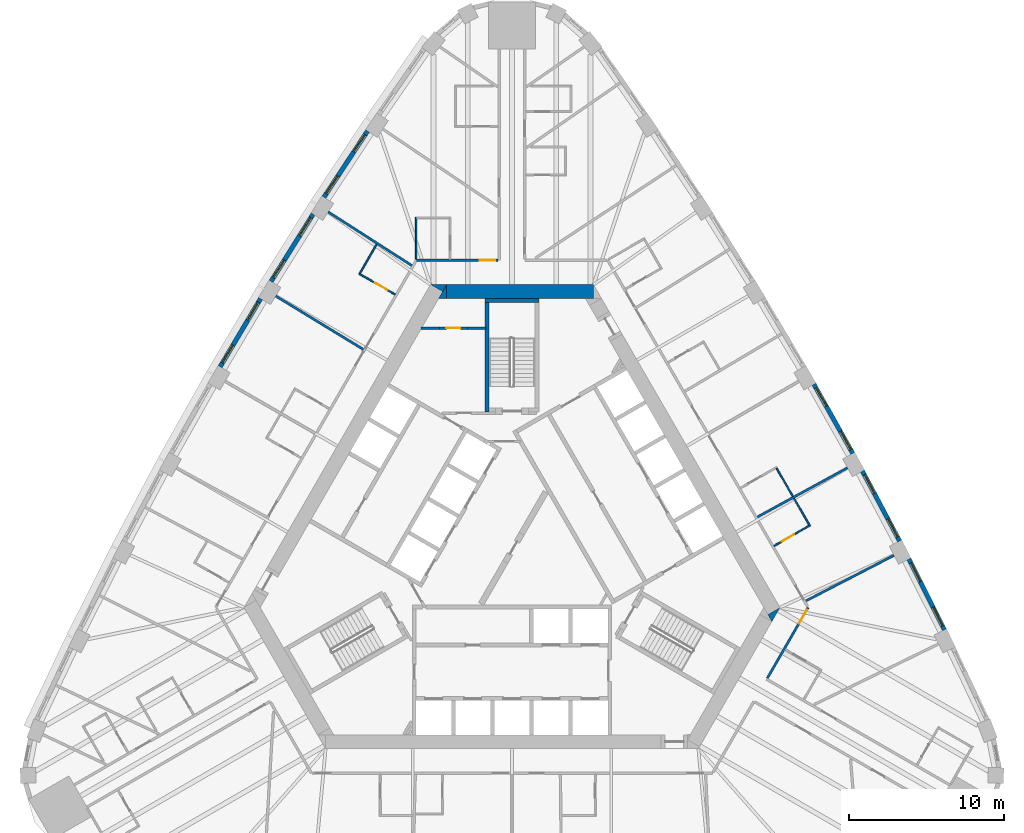
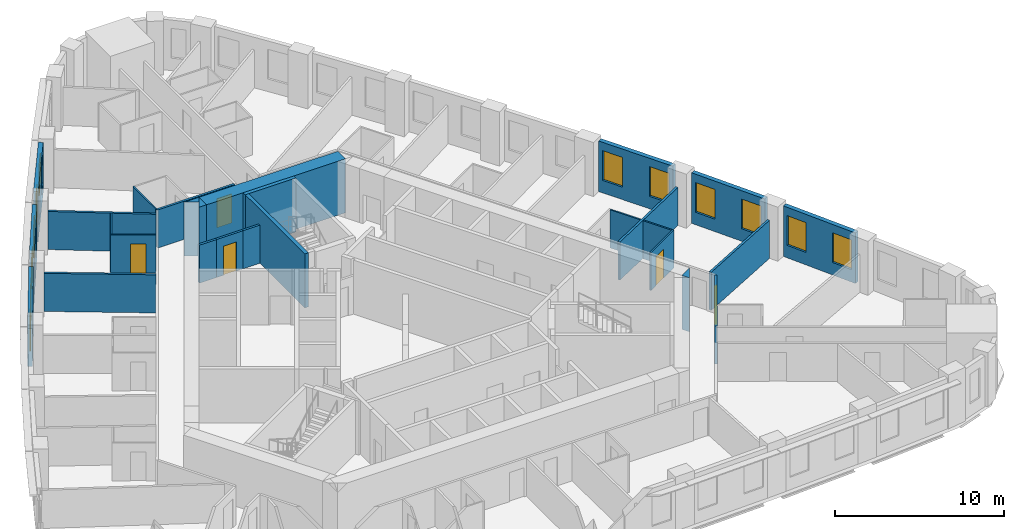
# One storey, part 9 of 12: 27 walls, 12 windows, 5 doors, 17 openings.
"""IFC4 building model written with IfcOpenShell, lengths in metres."""

from ifc_helpers import new_model, si_unit, direction, frame, frame_2d, origin, place, context, subcontext, project, spatial, polyline, rectangle, outline, extrude, material, layer, layer_set, type_object, element, fill, save


model = new_model("IFC4")

# Units and contexts
model_context = context("Model", 3, precision=1e-05, world=origin(), true_north=direction((0.0, 1.0)))
body_context = subcontext(model_context, "Body", "Model", "MODEL_VIEW")
ifc_project = project(units=[si_unit("LENGTHUNIT", "METRE"), si_unit("AREAUNIT", "SQUARE_METRE"), si_unit("VOLUMEUNIT", "CUBIC_METRE"), si_unit("PLANEANGLEUNIT", "RADIAN"), si_unit("MASSUNIT", "GRAM", prefix="KILO")], contexts=[model_context])

# Site, building, storey
site_placement = place(None, origin())
site = spatial("IfcSite", under=ifc_project, at=site_placement, CompositionType="ELEMENT")
building_placement = place(site_placement, origin())
building = spatial("IfcBuilding", under=site, at=building_placement, Name="Mestral Congress Tower", CompositionType="ELEMENT")
storey_placement = place(building_placement, frame((0.0, 0.0, 111.0)))
storey = spatial("IfcBuildingStorey", under=building, at=storey_placement, Name="L26", CompositionType="ELEMENT", Elevation=111.0)

# Walls
ifc_material_1 = material(Name="Fire-rated board partition")
ifc_layer_1 = layer(ifc_material_1, 0.14990234375)
ifc_layer_set_1 = layer_set([ifc_layer_1], Name="Fire-rated board partition")
wall_type_1 = type_object("IfcWallType", Name="Core partition 150", PredefinedType="PARTITIONING", material=ifc_layer_set_1)
wall_1_placement = place(storey_placement, frame((-5.85107421875, 14.10205078125, 0.0), z_axis=(0.0, 0.0, 1.0), x_axis=(1.0, 0.0, 0.0)))
element("IfcWall", 1, at=wall_1_placement, inside=storey, type_object=wall_type_1, Name="L26 core wall", PredefinedType="PARTITIONING", context=body_context, shape_type="SweptSolid", body=[
    extrude(rectangle(XDim=1.18017578125, YDim=0.14990234375, at=frame_2d((0.590087890625, 0.0))), origin(), (0.0, 0.0, 1.0), 2.75),
])
wall_2_placement = place(storey_placement, frame((-2.87060546875, 14.10205078125, 0.0), z_axis=(0.0, 0.0, 1.0), x_axis=(1.0, 0.0, 0.0)))
element("IfcWall", 2, at=wall_2_placement, inside=storey, type_object=wall_type_1, Name="L26 core wall", PredefinedType="PARTITIONING", context=body_context, shape_type="SweptSolid", body=[
    extrude(rectangle(XDim=1.195556640625, YDim=0.14990234375, at=frame_2d((0.59765625, 0.0))), origin(), (0.0, 0.0, 1.0), 2.75),
])

# Wall, opening, door
wall_3_placement = place(storey_placement, frame((-2.870849609375, 14.10205078125, 0.0), z_axis=(0.0, 0.0, 1.0), x_axis=(-1.0, 0.0, 0.0)))
wall_3 = element("IfcWall", 3, at=wall_3_placement, inside=storey, type_object=wall_type_1, Name="L26 door wall", PredefinedType="PARTITIONING", context=body_context, shape_type="SweptSolid", body=[
    extrude(rectangle(XDim=1.800048828125, YDim=0.14990234375, at=frame_2d((0.89990234375, 0.0))), origin(), (0.0, 0.0, 1.0), 2.75),
])
opening_1_placement = place(wall_3_placement, frame((0.449951171875, 0.0, 0.0)))
opening_1 = element("IfcOpeningElement", 4, at=opening_1_placement, cuts=wall_3, Name="Opening SD-WS2", PredefinedType="OPENING", context=body_context, shape_type="SweptSolid", body=[
    extrude(rectangle(XDim=0.89990234375, YDim=2.10009765625, at=frame_2d((0.449951171875, 1.050048828125))), frame((0.0, 0.0849609375, 0.0), z_axis=(0.0, -1.0, 0.0), x_axis=(1.0, 0.0, 0.0)), (0.0, 0.0, 1.0), 0.169921875),
])
ifc_material_2 = material(Name="Fire-rated steel door set", Category="steel")
door_type_1 = type_object("IfcDoorType", Name="Core door SR 900x2100", OperationType="SINGLE_SWING_LEFT", PredefinedType="DOOR", material=ifc_material_2)
door_1_placement = place(opening_1_placement, origin())
door_1 = element("IfcDoor", 5, at=door_1_placement, inside=storey, type_object=door_type_1, Name="Door SD-WS2", OperationType="SINGLE_SWING_LEFT", OverallHeight=2.10009765625, OverallWidth=0.89990234375, PredefinedType="DOOR", context=body_context, shape_type="SweptSolid", body=[
    extrude(rectangle(XDim=0.89990234375, YDim=2.10009765625, at=frame_2d((0.449951171875, 1.050048828125))), frame((0.0, 0.02490234375, 0.0), z_axis=(0.0, -1.0, 0.0), x_axis=(1.0, 0.0, 0.0)), (0.0, 0.0, 1.0), 0.050048828125),
])
fill(opening_1, door_1)

# Walls
ifc_material_3 = material(Name="Concrete C60/75", Category="concrete")
ifc_layer_2 = layer(ifc_material_3, 0.89990234375)
ifc_layer_set_2 = layer_set([ifc_layer_2], Name="Concrete C60/75")
wall_type_2 = type_object("IfcWallType", Name="Core wall RC 900", PredefinedType="SOLIDWALL", material=ifc_layer_set_2)
placement = place(storey_placement, origin())
element("IfcWall", 6, at=placement, inside=storey, type_object=wall_type_2, Name="L26 core wall", PredefinedType="SOLIDWALL", context=body_context, shape_type="SweptSolid", body=[
    extrude(outline(polyline([(16.7431640625, -4.800048828125), (16.4892578125, -4.360107421875), (17.251220703125, -3.920166015625), (16.7431640625, -4.800048828125)])), origin(), (0.0, 0.0, 1.0), 3.89990234375),
])
element("IfcWall", 7, at=placement, inside=storey, type_object=wall_type_2, Name="L26 core wall", PredefinedType="SOLIDWALL", context=body_context, shape_type="SweptSolid", body=[
    extrude(outline(polyline([(-4.214599609375, 16.89990234375), (-4.46875, 16.460205078125), (-5.230712890625, 16.89990234375), (-4.214599609375, 16.89990234375)])), origin(), (0.0, 0.0, 1.0), 3.89990234375),
])
wall_6_placement = place(storey_placement, frame((-4.224365234375, 16.449951171875, 0.0), z_axis=(0.0, 0.0, 1.0), x_axis=(1.0, 0.0, 0.0)))
element("IfcWall", 8, at=wall_6_placement, inside=storey, type_object=wall_type_2, Name="L26 core wall", PredefinedType="SOLIDWALL", context=body_context, shape_type="SweptSolid", body=[
    extrude(rectangle(XDim=9.48779296875, YDim=0.89990234375, at=frame_2d((4.743896484375, 0.0))), origin(), (0.0, 0.0, 1.0), 3.89990234375),
])
element("IfcWall", 9, at=placement, inside=storey, type_object=wall_type_2, Name="L26 core wall", PredefinedType="SOLIDWALL", context=body_context, shape_type="SweptSolid", body=[
    extrude(outline(polyline([(-4.734375, 16.0), (-4.226318359375, 16.8798828125), (-4.226318359375, 16.0), (-4.734375, 16.0)])), origin(), (0.0, 0.0, 1.0), 3.89990234375),
])

# Wall, openings, windows
ifc_material_4 = material(Name="Precast concrete C40/50 with limestone facing", Category="masonry")
ifc_layer_3 = layer(ifc_material_4, 0.2900390625)
ifc_layer_set_3 = layer_set([ifc_layer_3], Name="Precast concrete C40/50 with limestone facing")
wall_type_3 = type_object("IfcWallType", Name="Facade stone wall 290", PredefinedType="SOLIDWALL", material=ifc_layer_set_3)
wall_8_placement = place(storey_placement, frame((27.864013671875, -5.336181640625, 0.0), z_axis=(0.0, 0.0, 1.0), x_axis=(-0.448534297211, 0.893765620409, 0.0)))
wall_8 = element("IfcWall", 10, at=wall_8_placement, inside=storey, type_object=wall_type_3, Name="Facade wall F1-01", PredefinedType="SOLIDWALL", context=body_context, shape_type="SweptSolid", body=[
    extrude(rectangle(XDim=5.10009765625, YDim=0.2900390625, at=frame_2d((2.550048828125, 0.0))), origin(), (0.0, 0.0, 1.0), 3.64990234375),
])
opening_2_placement = place(wall_8_placement, frame((0.2724609375, 0.0, 0.89990234375)))
opening_2 = element("IfcOpeningElement", 11, at=opening_2_placement, cuts=wall_8, Name="Opening W2", PredefinedType="OPENING", context=body_context, shape_type="SweptSolid", body=[
    extrude(rectangle(XDim=1.35009765625, YDim=2.14990234375, at=frame_2d((0.675048828125, 1.074951171875))), frame((0.0, 0.155029296875, 0.0), z_axis=(0.0, -1.0, 0.0), x_axis=(1.0, 0.0, 0.0)), (0.0, 0.0, 1.0), 0.31005859375),
])
opening_3_placement = place(wall_8_placement, frame((3.477783203125, 0.0, 0.89990234375)))
opening_3 = element("IfcOpeningElement", 12, at=opening_3_placement, cuts=wall_8, Name="Opening W2", PredefinedType="OPENING", context=body_context, shape_type="SweptSolid", body=[
    extrude(rectangle(XDim=1.35009765625, YDim=2.14990234375, at=frame_2d((0.675048828125, 1.074951171875))), frame((0.0, 0.155029296875, 0.0), z_axis=(0.0, -1.0, 0.0), x_axis=(1.0, 0.0, 0.0)), (0.0, 0.0, 1.0), 0.31005859375),
])
ifc_material_5 = material(Name="Clear low-emissivity double glazing", Category="glass")
window_type = type_object("IfcWindowType", Name="Facade punched window 1350 x 2150 sill 900", PartitioningType="DOUBLE_PANEL_VERTICAL", PredefinedType="WINDOW", material=ifc_material_5)
window_1_placement = place(opening_2_placement, origin())
window_1 = element("IfcWindow", 13, at=window_1_placement, inside=storey, type_object=window_type, Name="Window F1-01a", OverallHeight=2.14990234375, OverallWidth=1.35009765625, PartitioningType="DOUBLE_PANEL_VERTICAL", PredefinedType="WINDOW", context=body_context, shape_type="SweptSolid", body=[
    extrude(rectangle(XDim=1.35009765625, YDim=2.14990234375, at=frame_2d((0.675048828125, 1.074951171875))), frame((0.0, 0.01513671875, 0.0), z_axis=(0.0, -1.0, 0.0), x_axis=(1.0, 0.0, 0.0)), (0.0, 0.0, 1.0), 0.06005859375),
])
fill(opening_2, window_1)
window_2_placement = place(opening_3_placement, origin())
window_2 = element("IfcWindow", 14, at=window_2_placement, inside=storey, type_object=window_type, Name="Window F1-01b", OverallHeight=2.14990234375, OverallWidth=1.35009765625, PartitioningType="DOUBLE_PANEL_VERTICAL", PredefinedType="WINDOW", context=body_context, shape_type="SweptSolid", body=[
    extrude(rectangle(XDim=1.35009765625, YDim=2.14990234375, at=frame_2d((0.675048828125, 1.074951171875))), frame((0.0, 0.01513671875, 0.0), z_axis=(0.0, -1.0, 0.0), x_axis=(1.0, 0.0, 0.0)), (0.0, 0.0, 1.0), 0.06005859375),
])
fill(opening_3, window_2)

wall_9_placement = place(storey_placement, frame((24.976806640625, 0.3828125, 0.0), z_axis=(0.0, 0.0, 1.0), x_axis=(-0.469323203119, 0.883026461106, 0.0)))
wall_9 = element("IfcWall", 15, at=wall_9_placement, inside=storey, type_object=wall_type_3, Name="Facade wall F1-02", PredefinedType="SOLIDWALL", context=body_context, shape_type="SweptSolid", body=[
    extrude(rectangle(XDim=5.1005859375, YDim=0.2900390625, at=frame_2d((2.55029296875, 0.0))), origin(), (0.0, 0.0, 1.0), 3.64990234375),
])
opening_4_placement = place(wall_9_placement, frame((0.272705078125, 0.0, 0.89990234375)))
opening_4 = element("IfcOpeningElement", 16, at=opening_4_placement, cuts=wall_9, Name="Opening W2", PredefinedType="OPENING", context=body_context, shape_type="SweptSolid", body=[
    extrude(rectangle(XDim=1.35009765625, YDim=2.14990234375, at=frame_2d((0.675048828125, 1.074951171875))), frame((0.0, 0.155029296875, 0.0), z_axis=(0.0, -1.0, 0.0), x_axis=(1.0, 0.0, 0.0)), (0.0, 0.0, 1.0), 0.31005859375),
])
opening_5_placement = place(wall_9_placement, frame((3.477783203125, 0.0, 0.89990234375)))
opening_5 = element("IfcOpeningElement", 17, at=opening_5_placement, cuts=wall_9, Name="Opening W2", PredefinedType="OPENING", context=body_context, shape_type="SweptSolid", body=[
    extrude(rectangle(XDim=1.35009765625, YDim=2.14990234375, at=frame_2d((0.675048828125, 1.074951171875))), frame((0.0, 0.155029296875, 0.0), z_axis=(0.0, -1.0, 0.0), x_axis=(1.0, 0.0, 0.0)), (0.0, 0.0, 1.0), 0.31005859375),
])
window_3_placement = place(opening_4_placement, origin())
window_3 = element("IfcWindow", 18, at=window_3_placement, inside=storey, type_object=window_type, Name="Window F1-02a", OverallHeight=2.14990234375, OverallWidth=1.35009765625, PartitioningType="DOUBLE_PANEL_VERTICAL", PredefinedType="WINDOW", context=body_context, shape_type="SweptSolid", body=[
    extrude(rectangle(XDim=1.35009765625, YDim=2.14990234375, at=frame_2d((0.675048828125, 1.074951171875))), frame((0.0, 0.01513671875, 0.0), z_axis=(0.0, -1.0, 0.0), x_axis=(1.0, 0.0, 0.0)), (0.0, 0.0, 1.0), 0.06005859375),
])
fill(opening_4, window_3)
window_4_placement = place(opening_5_placement, origin())
window_4 = element("IfcWindow", 19, at=window_4_placement, inside=storey, type_object=window_type, Name="Window F1-02b", OverallHeight=2.14990234375, OverallWidth=1.35009765625, PartitioningType="DOUBLE_PANEL_VERTICAL", PredefinedType="WINDOW", context=body_context, shape_type="SweptSolid", body=[
    extrude(rectangle(XDim=1.35009765625, YDim=2.14990234375, at=frame_2d((0.675048828125, 1.074951171875))), frame((0.0, 0.01513671875, 0.0), z_axis=(0.0, -1.0, 0.0), x_axis=(1.0, 0.0, 0.0)), (0.0, 0.0, 1.0), 0.06005859375),
])
fill(opening_5, window_4)

wall_10_placement = place(storey_placement, frame((21.956298828125, 6.033203125, 0.0), z_axis=(0.0, 0.0, 1.0), x_axis=(-0.48983164787, 0.87181704316, 0.0)))
wall_10 = element("IfcWall", 20, at=wall_10_placement, inside=storey, type_object=wall_type_3, Name="Facade wall F1-03", PredefinedType="SOLIDWALL", context=body_context, shape_type="SweptSolid", body=[
    extrude(rectangle(XDim=5.100341796875, YDim=0.2900390625, at=frame_2d((2.55029296875, 0.0))), origin(), (0.0, 0.0, 1.0), 3.64990234375),
])
opening_6_placement = place(wall_10_placement, frame((0.272705078125, 0.0, 0.89990234375)))
opening_6 = element("IfcOpeningElement", 21, at=opening_6_placement, cuts=wall_10, Name="Opening W2", PredefinedType="OPENING", context=body_context, shape_type="SweptSolid", body=[
    extrude(rectangle(XDim=1.35009765625, YDim=2.14990234375, at=frame_2d((0.675048828125, 1.074951171875))), frame((0.0, 0.155029296875, 0.0), z_axis=(0.0, -1.0, 0.0), x_axis=(1.0, 0.0, 0.0)), (0.0, 0.0, 1.0), 0.31005859375),
])
opening_7_placement = place(wall_10_placement, frame((3.477783203125, 0.0, 0.89990234375)))
opening_7 = element("IfcOpeningElement", 22, at=opening_7_placement, cuts=wall_10, Name="Opening W2", PredefinedType="OPENING", context=body_context, shape_type="SweptSolid", body=[
    extrude(rectangle(XDim=1.35009765625, YDim=2.14990234375, at=frame_2d((0.675048828125, 1.074951171875))), frame((0.0, 0.155029296875, 0.0), z_axis=(0.0, -1.0, 0.0), x_axis=(1.0, 0.0, 0.0)), (0.0, 0.0, 1.0), 0.31005859375),
])
window_5_placement = place(opening_6_placement, origin())
window_5 = element("IfcWindow", 23, at=window_5_placement, inside=storey, type_object=window_type, Name="Window F1-03a", OverallHeight=2.14990234375, OverallWidth=1.35009765625, PartitioningType="DOUBLE_PANEL_VERTICAL", PredefinedType="WINDOW", context=body_context, shape_type="SweptSolid", body=[
    extrude(rectangle(XDim=1.35009765625, YDim=2.14990234375, at=frame_2d((0.675048828125, 1.074951171875))), frame((0.0, 0.01513671875, 0.0), z_axis=(0.0, -1.0, 0.0), x_axis=(1.0, 0.0, 0.0)), (0.0, 0.0, 1.0), 0.06005859375),
])
fill(opening_6, window_5)
window_6_placement = place(opening_7_placement, origin())
window_6 = element("IfcWindow", 24, at=window_6_placement, inside=storey, type_object=window_type, Name="Window F1-03b", OverallHeight=2.14990234375, OverallWidth=1.35009765625, PartitioningType="DOUBLE_PANEL_VERTICAL", PredefinedType="WINDOW", context=body_context, shape_type="SweptSolid", body=[
    extrude(rectangle(XDim=1.35009765625, YDim=2.14990234375, at=frame_2d((0.675048828125, 1.074951171875))), frame((0.0, 0.01513671875, 0.0), z_axis=(0.0, -1.0, 0.0), x_axis=(1.0, 0.0, 0.0)), (0.0, 0.0, 1.0), 0.06005859375),
])
fill(opening_7, window_6)

wall_11_placement = place(storey_placement, frame((-9.310791015625, 26.799072265625, 0.0), z_axis=(0.0, 0.0, 1.0), x_axis=(-0.549741341923, -0.835334937005, 0.0)))
wall_11 = element("IfcWall", 25, at=wall_11_placement, inside=storey, type_object=wall_type_3, Name="Facade wall F2-01", PredefinedType="SOLIDWALL", context=body_context, shape_type="SweptSolid", body=[
    extrude(rectangle(XDim=5.10009765625, YDim=0.2900390625, at=frame_2d((2.550048828125, 0.0))), origin(), (0.0, 0.0, 1.0), 3.64990234375),
])
opening_8_placement = place(wall_11_placement, frame((0.272705078125, 0.0, 0.89990234375)))
opening_8 = element("IfcOpeningElement", 26, at=opening_8_placement, cuts=wall_11, Name="Opening W2", PredefinedType="OPENING", context=body_context, shape_type="SweptSolid", body=[
    extrude(rectangle(XDim=1.35009765625, YDim=2.14990234375, at=frame_2d((0.675048828125, 1.074951171875))), frame((0.0, 0.155029296875, 0.0), z_axis=(0.0, -1.0, 0.0), x_axis=(1.0, 0.0, 0.0)), (0.0, 0.0, 1.0), 0.31005859375),
])
opening_9_placement = place(wall_11_placement, frame((3.477783203125, 0.0, 0.89990234375)))
opening_9 = element("IfcOpeningElement", 27, at=opening_9_placement, cuts=wall_11, Name="Opening W2", PredefinedType="OPENING", context=body_context, shape_type="SweptSolid", body=[
    extrude(rectangle(XDim=1.35009765625, YDim=2.14990234375, at=frame_2d((0.675048828125, 1.074951171875))), frame((0.0, 0.155029296875, 0.0), z_axis=(0.0, -1.0, 0.0), x_axis=(1.0, 0.0, 0.0)), (0.0, 0.0, 1.0), 0.31005859375),
])
window_7_placement = place(opening_8_placement, origin())
window_7 = element("IfcWindow", 28, at=window_7_placement, inside=storey, type_object=window_type, Name="Window F2-01a", OverallHeight=2.14990234375, OverallWidth=1.35009765625, PartitioningType="DOUBLE_PANEL_VERTICAL", PredefinedType="WINDOW", context=body_context, shape_type="SweptSolid", body=[
    extrude(rectangle(XDim=1.35009765625, YDim=2.14990234375, at=frame_2d((0.675048828125, 1.074951171875))), frame((0.0, 0.01513671875, 0.0), z_axis=(0.0, -1.0, 0.0), x_axis=(1.0, 0.0, 0.0)), (0.0, 0.0, 1.0), 0.06005859375),
])
fill(opening_8, window_7)
window_8_placement = place(opening_9_placement, origin())
window_8 = element("IfcWindow", 29, at=window_8_placement, inside=storey, type_object=window_type, Name="Window F2-01b", OverallHeight=2.14990234375, OverallWidth=1.35009765625, PartitioningType="DOUBLE_PANEL_VERTICAL", PredefinedType="WINDOW", context=body_context, shape_type="SweptSolid", body=[
    extrude(rectangle(XDim=1.35009765625, YDim=2.14990234375, at=frame_2d((0.675048828125, 1.074951171875))), frame((0.0, 0.01513671875, 0.0), z_axis=(0.0, -1.0, 0.0), x_axis=(1.0, 0.0, 0.0)), (0.0, 0.0, 1.0), 0.06005859375),
])
fill(opening_9, window_8)

wall_12_placement = place(storey_placement, frame((-12.820068359375, 21.43896484375, 0.0), z_axis=(0.0, 0.0, 1.0), x_axis=(-0.530072082134, -0.847952585787, 0.0)))
wall_12 = element("IfcWall", 30, at=wall_12_placement, inside=storey, type_object=wall_type_3, Name="Facade wall F2-02", PredefinedType="SOLIDWALL", context=body_context, shape_type="SweptSolid", body=[
    extrude(rectangle(XDim=5.100341796875, YDim=0.2900390625, at=frame_2d((2.55029296875, 0.0))), origin(), (0.0, 0.0, 1.0), 3.64990234375),
])
opening_10_placement = place(wall_12_placement, frame((0.272705078125, 0.0, 0.89990234375)))
opening_10 = element("IfcOpeningElement", 31, at=opening_10_placement, cuts=wall_12, Name="Opening W2", PredefinedType="OPENING", context=body_context, shape_type="SweptSolid", body=[
    extrude(rectangle(XDim=1.35009765625, YDim=2.14990234375, at=frame_2d((0.675048828125, 1.074951171875))), frame((0.0, 0.155029296875, 0.0), z_axis=(0.0, -1.0, 0.0), x_axis=(1.0, 0.0, 0.0)), (0.0, 0.0, 1.0), 0.31005859375),
])
opening_11_placement = place(wall_12_placement, frame((3.477783203125, 0.0, 0.89990234375)))
opening_11 = element("IfcOpeningElement", 32, at=opening_11_placement, cuts=wall_12, Name="Opening W2", PredefinedType="OPENING", context=body_context, shape_type="SweptSolid", body=[
    extrude(rectangle(XDim=1.35009765625, YDim=2.14990234375, at=frame_2d((0.675048828125, 1.074951171875))), frame((0.0, 0.155029296875, 0.0), z_axis=(0.0, -1.0, 0.0), x_axis=(1.0, 0.0, 0.0)), (0.0, 0.0, 1.0), 0.31005859375),
])
window_9_placement = place(opening_10_placement, origin())
window_9 = element("IfcWindow", 33, at=window_9_placement, inside=storey, type_object=window_type, Name="Window F2-02a", OverallHeight=2.14990234375, OverallWidth=1.35009765625, PartitioningType="DOUBLE_PANEL_VERTICAL", PredefinedType="WINDOW", context=body_context, shape_type="SweptSolid", body=[
    extrude(rectangle(XDim=1.35009765625, YDim=2.14990234375, at=frame_2d((0.675048828125, 1.074951171875))), frame((0.0, 0.01513671875, 0.0), z_axis=(0.0, -1.0, 0.0), x_axis=(1.0, 0.0, 0.0)), (0.0, 0.0, 1.0), 0.06005859375),
])
fill(opening_10, window_9)
window_10_placement = place(opening_11_placement, origin())
window_10 = element("IfcWindow", 34, at=window_10_placement, inside=storey, type_object=window_type, Name="Window F2-02b", OverallHeight=2.14990234375, OverallWidth=1.35009765625, PartitioningType="DOUBLE_PANEL_VERTICAL", PredefinedType="WINDOW", context=body_context, shape_type="SweptSolid", body=[
    extrude(rectangle(XDim=1.35009765625, YDim=2.14990234375, at=frame_2d((0.675048828125, 1.074951171875))), frame((0.0, 0.01513671875, 0.0), z_axis=(0.0, -1.0, 0.0), x_axis=(1.0, 0.0, 0.0)), (0.0, 0.0, 1.0), 0.06005859375),
])
fill(opening_11, window_10)

wall_13_placement = place(storey_placement, frame((-16.203125, 15.998291015625, 0.0), z_axis=(0.0, 0.0, 1.0), x_axis=(-0.510054281659, -0.860142214847, 0.0)))
wall_13 = element("IfcWall", 35, at=wall_13_placement, inside=storey, type_object=wall_type_3, Name="Facade wall F2-03", PredefinedType="SOLIDWALL", context=body_context, shape_type="SweptSolid", body=[
    extrude(rectangle(XDim=5.1005859375, YDim=0.2900390625, at=frame_2d((2.55029296875, 0.0))), origin(), (0.0, 0.0, 1.0), 3.64990234375),
])
opening_12_placement = place(wall_13_placement, frame((0.272705078125, 0.0, 0.89990234375)))
opening_12 = element("IfcOpeningElement", 36, at=opening_12_placement, cuts=wall_13, Name="Opening W2", PredefinedType="OPENING", context=body_context, shape_type="SweptSolid", body=[
    extrude(rectangle(XDim=1.35009765625, YDim=2.14990234375, at=frame_2d((0.675048828125, 1.074951171875))), frame((0.0, 0.155029296875, 0.0), z_axis=(0.0, -1.0, 0.0), x_axis=(1.0, 0.0, 0.0)), (0.0, 0.0, 1.0), 0.31005859375),
])
opening_13_placement = place(wall_13_placement, frame((3.477783203125, 0.0, 0.89990234375)))
opening_13 = element("IfcOpeningElement", 37, at=opening_13_placement, cuts=wall_13, Name="Opening W2", PredefinedType="OPENING", context=body_context, shape_type="SweptSolid", body=[
    extrude(rectangle(XDim=1.35009765625, YDim=2.14990234375, at=frame_2d((0.675048828125, 1.074951171875))), frame((0.0, 0.155029296875, 0.0), z_axis=(0.0, -1.0, 0.0), x_axis=(1.0, 0.0, 0.0)), (0.0, 0.0, 1.0), 0.31005859375),
])
window_11_placement = place(opening_12_placement, origin())
window_11 = element("IfcWindow", 38, at=window_11_placement, inside=storey, type_object=window_type, Name="Window F2-03a", OverallHeight=2.14990234375, OverallWidth=1.35009765625, PartitioningType="DOUBLE_PANEL_VERTICAL", PredefinedType="WINDOW", context=body_context, shape_type="SweptSolid", body=[
    extrude(rectangle(XDim=1.35009765625, YDim=2.14990234375, at=frame_2d((0.675048828125, 1.074951171875))), frame((0.0, 0.01513671875, 0.0), z_axis=(0.0, -1.0, 0.0), x_axis=(1.0, 0.0, 0.0)), (0.0, 0.0, 1.0), 0.06005859375),
])
fill(opening_12, window_11)
window_12_placement = place(opening_13_placement, origin())
window_12 = element("IfcWindow", 39, at=window_12_placement, inside=storey, type_object=window_type, Name="Window F2-03b", OverallHeight=2.14990234375, OverallWidth=1.35009765625, PartitioningType="DOUBLE_PANEL_VERTICAL", PredefinedType="WINDOW", context=body_context, shape_type="SweptSolid", body=[
    extrude(rectangle(XDim=1.35009765625, YDim=2.14990234375, at=frame_2d((0.675048828125, 1.074951171875))), frame((0.0, 0.01513671875, 0.0), z_axis=(0.0, -1.0, 0.0), x_axis=(1.0, 0.0, 0.0)), (0.0, 0.0, 1.0), 0.06005859375),
])
fill(opening_13, window_12)

# Wall, opening, door
ifc_material_6 = material(Name="Gypsum board partition on metal studs with mineral wool", Category="composite")
ifc_layer_4 = layer(ifc_material_6, 0.10009765625)
ifc_layer_set_4 = layer_set([ifc_layer_4], Name="Gypsum board partition on metal studs with mineral wool")
wall_type_4 = type_object("IfcWallType", Name="Hotel partition wall 100", PredefinedType="PARTITIONING", material=ifc_layer_set_4)
wall_14_placement = place(storey_placement, frame((16.88134765625, 0.060546875, 0.0), z_axis=(0.0, 0.0, 1.0), x_axis=(0.866019956843, 0.50000943426, 0.0)))
wall_14 = element("IfcWall", 40, at=wall_14_placement, inside=storey, type_object=wall_type_4, Name="L26-h-pod10a", PredefinedType="PARTITIONING", context=body_context, shape_type="SweptSolid", body=[
    extrude(rectangle(XDim=2.7001953125, YDim=0.10009765625, at=frame_2d((1.35009765625, 0.0))), origin(), (0.0, 0.0, 1.0), 2.75),
])
opening_14_placement = place(wall_14_placement, frame((0.60009765625, 0.0, 0.0)))
opening_14 = element("IfcOpeningElement", 41, at=opening_14_placement, cuts=wall_14, Name="Opening H08-017", PredefinedType="OPENING", context=body_context, shape_type="SweptSolid", body=[
    extrude(rectangle(XDim=0.89990234375, YDim=2.10009765625, at=frame_2d((0.449951171875, 1.050048828125))), frame((0.0, 0.06005859375, 0.0), z_axis=(0.0, -1.0, 0.0), x_axis=(1.0, 0.0, 0.0)), (0.0, 0.0, 1.0), 0.1201171875),
])
ifc_material_7 = material(Name="Timber veneer door leaf in timber frame", Category="wood")
door_type_2 = type_object("IfcDoorType", Name="Bathroom door 900", OperationType="SINGLE_SWING_LEFT", PredefinedType="DOOR", material=ifc_material_7)
door_2_placement = place(opening_14_placement, origin())
door_2 = element("IfcDoor", 42, at=door_2_placement, inside=storey, type_object=door_type_2, Name="L26-h-d017", OperationType="SINGLE_SWING_LEFT", OverallHeight=2.10009765625, OverallWidth=0.89990234375, PredefinedType="DOOR", context=body_context, shape_type="SweptSolid", body=[
    extrude(rectangle(XDim=0.89990234375, YDim=2.10009765625, at=frame_2d((0.449951171875, 1.050048828125))), frame((0.0, 0.02490234375, 0.0), z_axis=(0.0, -1.0, 0.0), x_axis=(1.0, 0.0, 0.0)), (0.0, 0.0, 1.0), 0.050048828125),
])
fill(opening_14, door_2)

# Walls
wall_15_placement = place(storey_placement, frame((19.1513671875, 1.428955078125, 0.0), z_axis=(0.0, 0.0, 1.0), x_axis=(-0.500024377727, 0.866011328839, 0.0)))
element("IfcWall", 43, at=wall_15_placement, inside=storey, type_object=wall_type_4, Name="L26-h-pod10b", PredefinedType="PARTITIONING", context=body_context, shape_type="SweptSolid", body=[
    extrude(rectangle(XDim=1.9599609375, YDim=0.10009765625, at=frame_2d((0.97998046875, 0.0))), origin(), (0.0, 0.0, 1.0), 2.75),
])
wall_16_placement = place(storey_placement, frame((17.04736328125, 5.072998046875, 0.0), z_axis=(0.0, 0.0, 1.0), x_axis=(0.500008976872, -0.866020220923, 0.0)))
element("IfcWall", 44, at=wall_16_placement, inside=storey, type_object=wall_type_4, Name="L26-h-pod11b", PredefinedType="PARTITIONING", context=body_context, shape_type="SweptSolid", body=[
    extrude(rectangle(XDim=2.08984375, YDim=0.10009765625, at=frame_2d((1.044921875, 0.0))), origin(), (0.0, 0.0, 1.0), 2.75),
])
wall_17_placement = place(storey_placement, frame((-6.18310546875, 18.550048828125, 0.0), z_axis=(0.0, 0.0, 1.0), x_axis=(0.0, 1.0, 0.0)))
element("IfcWall", 45, at=wall_17_placement, inside=storey, type_object=wall_type_4, Name="L26-h-pod18c", PredefinedType="PARTITIONING", context=body_context, shape_type="SweptSolid", body=[
    extrude(rectangle(XDim=2.699951171875, YDim=0.10009765625, at=frame_2d((1.35009765625, 0.0))), origin(), (0.0, 0.0, 1.0), 2.75),
])

# Wall, opening, door
wall_18_placement = place(storey_placement, frame((-9.8642578125, 17.614501953125, 0.0), z_axis=(0.0, 0.0, 1.0), x_axis=(0.866019956843, -0.50000943426, 0.0)))
wall_18 = element("IfcWall", 46, at=wall_18_placement, inside=storey, type_object=wall_type_4, Name="L26-h-pod19a", PredefinedType="PARTITIONING", context=body_context, shape_type="SweptSolid", body=[
    extrude(rectangle(XDim=2.7001953125, YDim=0.10009765625, at=frame_2d((1.35009765625, 0.0))), origin(), (0.0, 0.0, 1.0), 2.75),
])
opening_15_placement = place(wall_18_placement, frame((1.199951171875, 0.0, 0.0)))
opening_15 = element("IfcOpeningElement", 47, at=opening_15_placement, cuts=wall_18, Name="Opening H08-034", PredefinedType="OPENING", context=body_context, shape_type="SweptSolid", body=[
    extrude(rectangle(XDim=0.89990234375, YDim=2.10009765625, at=frame_2d((0.449951171875, 1.050048828125))), frame((0.0, 0.06005859375, 0.0), z_axis=(0.0, -1.0, 0.0), x_axis=(1.0, 0.0, 0.0)), (0.0, 0.0, 1.0), 0.1201171875),
])
door_3_placement = place(opening_15_placement, origin())
door_3 = element("IfcDoor", 48, at=door_3_placement, inside=storey, type_object=door_type_2, Name="L26-h-d034", OperationType="SINGLE_SWING_LEFT", OverallHeight=2.10009765625, OverallWidth=0.89990234375, PredefinedType="DOOR", context=body_context, shape_type="SweptSolid", body=[
    extrude(rectangle(XDim=0.89990234375, YDim=2.10009765625, at=frame_2d((0.449951171875, 1.050048828125))), frame((0.0, 0.02490234375, 0.0), z_axis=(0.0, -1.0, 0.0), x_axis=(1.0, 0.0, 0.0)), (0.0, 0.0, 1.0), 0.050048828125),
])
fill(opening_15, door_3)

# Wall
wall_19_placement = place(storey_placement, frame((-9.7958984375, 17.6328125, 0.0), z_axis=(0.0, 0.0, 1.0), x_axis=(0.499961633463, 0.866047553582, 0.0)))
element("IfcWall", 49, at=wall_19_placement, inside=storey, type_object=wall_type_4, Name="L26-h-pod19b", PredefinedType="PARTITIONING", context=body_context, shape_type="SweptSolid", body=[
    extrude(rectangle(XDim=2.150146484375, YDim=0.10009765625, at=frame_2d((1.0751953125, 0.0))), origin(), (0.0, 0.0, 1.0), 2.75),
])

# Wall, opening, door
ifc_layer_5 = layer(ifc_material_6, 0.14990234375)
ifc_layer_set_5 = layer_set([ifc_layer_5], Name="Gypsum board partition on metal studs with mineral wool")
wall_type_5 = type_object("IfcWallType", Name="Hotel partition wall 150", PredefinedType="PARTITIONING", material=ifc_layer_set_5)
wall_20_placement = place(storey_placement, frame((19.081298828125, -3.89990234375, 0.0), z_axis=(0.0, 0.0, 1.0), x_axis=(-0.499974327079, -0.866040225545, 0.0)))
wall_20 = element("IfcWall", 50, at=wall_20_placement, inside=storey, type_object=wall_type_5, Name="L26-h-cw02", PredefinedType="PARTITIONING", context=body_context, shape_type="SweptSolid", body=[
    extrude(rectangle(XDim=5.258056640625, YDim=0.14990234375, at=frame_2d((2.62890625, 0.0))), origin(), (0.0, 0.0, 1.0), 2.75),
])
opening_16_placement = place(wall_20_placement, frame((0.179931640625, 0.0, 0.0)))
opening_16 = element("IfcOpeningElement", 51, at=opening_16_placement, cuts=wall_20, Name="Opening H08-014", PredefinedType="OPENING", context=body_context, shape_type="SweptSolid", body=[
    extrude(rectangle(XDim=1.0, YDim=2.10009765625, at=frame_2d((0.5, 1.050048828125))), frame((0.0, 0.0849609375, 0.0), z_axis=(0.0, -1.0, 0.0), x_axis=(1.0, 0.0, 0.0)), (0.0, 0.0, 1.0), 0.169921875),
])
ifc_material_8 = material(Name="Timber veneer door leaf in metal frame", Category="wood")
door_type_3 = type_object("IfcDoorType", Name="Guest room entrance door 1000", OperationType="SINGLE_SWING_LEFT", PredefinedType="DOOR", material=ifc_material_8)
door_4_placement = place(opening_16_placement, origin())
door_4 = element("IfcDoor", 52, at=door_4_placement, inside=storey, type_object=door_type_3, Name="L26-h-d014", OperationType="SINGLE_SWING_LEFT", OverallHeight=2.10009765625, OverallWidth=1.0, PredefinedType="DOOR", context=body_context, shape_type="SweptSolid", body=[
    extrude(rectangle(XDim=1.0, YDim=2.10009765625, at=frame_2d((0.5, 1.050048828125))), frame((0.0, 0.02490234375, 0.0), z_axis=(0.0, -1.0, 0.0), x_axis=(1.0, 0.0, 0.0)), (0.0, 0.0, 1.0), 0.050048828125),
])
fill(opening_16, door_4)

wall_21_placement = place(storey_placement, frame((-6.1630859375, 18.47509765625, 0.0), z_axis=(0.0, 0.0, 1.0), x_axis=(1.0, 0.0, 0.0)))
wall_21 = element("IfcWall", 53, at=wall_21_placement, inside=storey, type_object=wall_type_5, Name="L26-h-cw07", PredefinedType="PARTITIONING", context=body_context, shape_type="SweptSolid", body=[
    extrude(rectangle(XDim=5.258056640625, YDim=0.14990234375, at=frame_2d((2.62890625, 0.0))), origin(), (0.0, 0.0, 1.0), 2.75),
])
opening_17_placement = place(wall_21_placement, frame((4.078125, 0.0, 0.0)))
opening_17 = element("IfcOpeningElement", 54, at=opening_17_placement, cuts=wall_21, Name="Opening H08-031", PredefinedType="OPENING", context=body_context, shape_type="SweptSolid", body=[
    extrude(rectangle(XDim=1.0, YDim=2.10009765625, at=frame_2d((0.5, 1.050048828125))), frame((0.0, 0.0849609375, 0.0), z_axis=(0.0, -1.0, 0.0), x_axis=(1.0, 0.0, 0.0)), (0.0, 0.0, 1.0), 0.169921875),
])
door_5_placement = place(opening_17_placement, origin())
door_5 = element("IfcDoor", 55, at=door_5_placement, inside=storey, type_object=door_type_3, Name="L26-h-d031", OperationType="SINGLE_SWING_RIGHT", OverallHeight=2.10009765625, OverallWidth=1.0, PredefinedType="DOOR", context=body_context, shape_type="SweptSolid", body=[
    extrude(rectangle(XDim=1.0, YDim=2.10009765625, at=frame_2d((0.5, 1.050048828125))), frame((0.0, 0.02490234375, 0.0), z_axis=(0.0, -1.0, 0.0), x_axis=(1.0, 0.0, 0.0)), (0.0, 0.0, 1.0), 0.050048828125),
])
fill(opening_17, door_5)

# Walls
wall_22_placement = place(storey_placement, frame((-15.22509765625, 16.16748046875, 0.0), z_axis=(0.0, 0.0, 1.0), x_axis=(0.854088713274, -0.520127359266, 0.0)))
element("IfcWall", 56, at=wall_22_placement, inside=storey, type_object=wall_type_5, Name="L26-h-pw08", PredefinedType="PARTITIONING", context=body_context, shape_type="SweptSolid", body=[
    extrude(rectangle(XDim=6.61083984375, YDim=0.14990234375, at=frame_2d((3.305419921875, 0.0))), origin(), (0.0, 0.0, 1.0), 2.75),
])
wall_23_placement = place(storey_placement, frame((-11.838134765625, 21.585205078125, 0.0), z_axis=(0.0, 0.0, 1.0), x_axis=(0.841699322813, -0.539946525108, 0.0)))
element("IfcWall", 57, at=wall_23_placement, inside=storey, type_object=wall_type_5, Name="L26-h-pw09", PredefinedType="PARTITIONING", context=body_context, shape_type="SweptSolid", body=[
    extrude(rectangle(XDim=6.3916015625, YDim=0.14990234375, at=frame_2d((3.19580078125, 0.0))), origin(), (0.0, 0.0, 1.0), 2.75),
])
wall_24_placement = place(storey_placement, frame((21.614013671875, 5.1015625, 0.0), z_axis=(0.0, 0.0, 1.0), x_axis=(-0.877484555087, -0.479604895287, 0.0)))
element("IfcWall", 58, at=wall_24_placement, inside=storey, type_object=wall_type_5, Name="L26-h-pw22", PredefinedType="PARTITIONING", context=body_context, shape_type="SweptSolid", body=[
    extrude(rectangle(XDim=6.611083984375, YDim=0.14990234375, at=frame_2d((3.3056640625, 0.0))), origin(), (0.0, 0.0, 1.0), 2.75),
])
wall_25_placement = place(storey_placement, frame((24.612548828125, -0.54052734375, 0.0), z_axis=(0.0, 0.0, 1.0), x_axis=(-0.888459912519, -0.458954228487, 0.0)))
element("IfcWall", 59, at=wall_25_placement, inside=storey, type_object=wall_type_5, Name="L26-h-pw23", PredefinedType="PARTITIONING", context=body_context, shape_type="SweptSolid", body=[
    extrude(rectangle(XDim=6.391845703125, YDim=0.14990234375, at=frame_2d((3.19580078125, 0.0))), origin(), (0.0, 0.0, 1.0), 2.75),
])
ifc_layer_6 = layer(ifc_material_3, 0.25)
ifc_layer_set_6 = layer_set([ifc_layer_6], Name="Concrete C60/75")
wall_type_6 = type_object("IfcWallType", Name="Stair wall RC 250", PredefinedType="SOLIDWALL", material=ifc_layer_set_6)
wall_26_placement = place(storey_placement, frame((-1.72509765625, 15.875, 0.0), z_axis=(0.0, 0.0, 1.0), x_axis=(1.0, 0.0, 0.0)))
element("IfcWall", 60, at=wall_26_placement, inside=storey, type_object=wall_type_6, Name="L26 core wall", PredefinedType="SOLIDWALL", context=body_context, shape_type="SweptSolid", body=[
    extrude(rectangle(XDim=3.4501953125, YDim=0.25, at=frame_2d((1.72509765625, 0.0))), origin(), (0.0, 0.0, 1.0), 3.89990234375),
])
wall_27_placement = place(storey_placement, frame((-1.60009765625, 8.699951171875, 0.0), z_axis=(0.0, 0.0, 1.0), x_axis=(0.0, 1.0, 0.0)))
element("IfcWall", 61, at=wall_27_placement, inside=storey, type_object=wall_type_6, Name="L26 core wall", PredefinedType="SOLIDWALL", context=body_context, shape_type="SweptSolid", body=[
    extrude(rectangle(XDim=7.050048828125, YDim=0.25, at=frame_2d((3.52490234375, 0.0))), origin(), (0.0, 0.0, 1.0), 3.89990234375),
])

save(model, "model.ifc")
